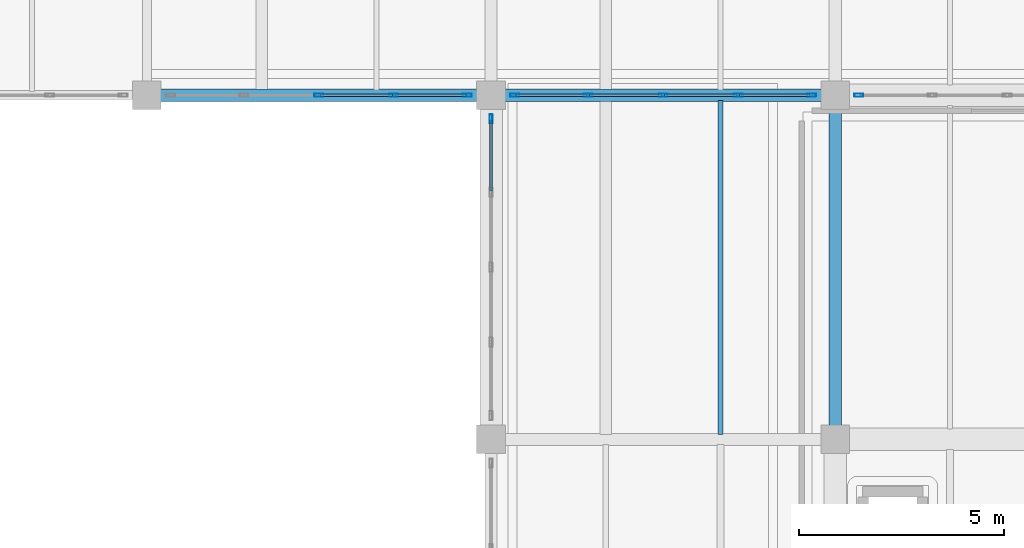
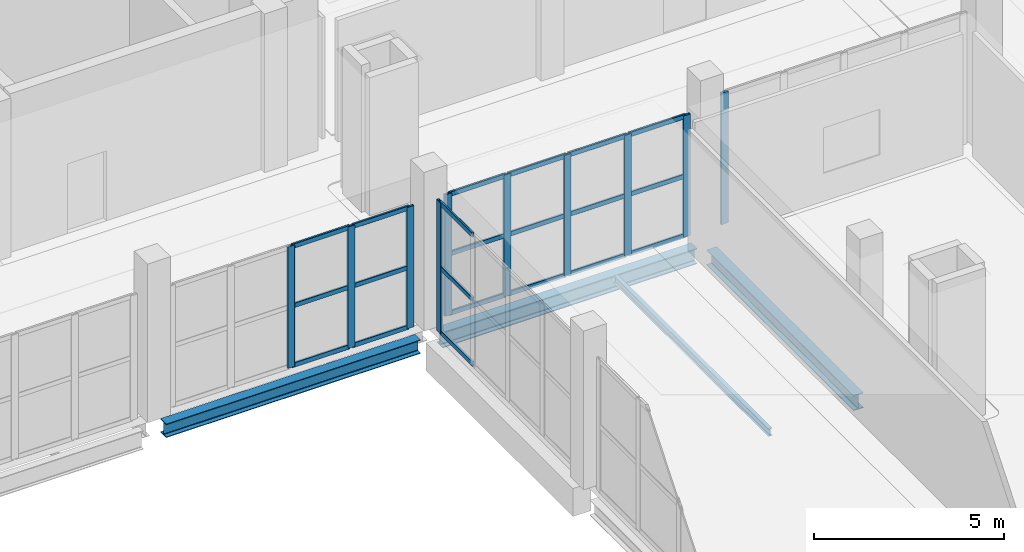
# One storey, part 31 of 73: 31 members, 4 beams, 4 elements without a shape of their own.
"""IFC4 building model written with IfcOpenShell, lengths in metres."""

from ifc_helpers import new_model, si_unit, direction, frame, origin, origin_2d, place, context, subcontext, project, spatial, hollow_rectangle, i_section, extrude, material, layer, layer_set, material_profile, profile_set, type_object, element, aggregate, save


model = new_model("IFC4")

# Units and contexts
model_context = context("Model", 3, precision=1e-05, world=origin(), true_north=direction((0.0, 1.0)))
body_context = subcontext(model_context, "Body", "Model", "MODEL_VIEW")
ifc_project = project(units=[si_unit("LENGTHUNIT", "METRE"), si_unit("AREAUNIT", "SQUARE_METRE"), si_unit("VOLUMEUNIT", "CUBIC_METRE"), si_unit("PLANEANGLEUNIT", "RADIAN"), si_unit("MASSUNIT", "GRAM", prefix="KILO")], contexts=[model_context])

# Site, building, storey
site_placement = place(None, origin())
site = spatial("IfcSite", under=ifc_project, at=site_placement, CompositionType="ELEMENT")
building_placement = place(site_placement, origin())
building = spatial("IfcBuilding", under=site, at=building_placement, Name="Zulmaris Art Gallery", CompositionType="ELEMENT")
storey_placement = place(building_placement, frame((0.0, 0.0, 10.5)))
storey = spatial("IfcBuildingStorey", under=building, at=storey_placement, Name="L02", CompositionType="ELEMENT", Elevation=10.5)

# Beams
ifc_material_1 = material(Name="Steel S355J2", Category="steel")
ifc_material_profile_1 = material_profile(ifc_material_1, i_section(OverallWidth=0.300048828125, OverallDepth=0.43994140625, WebThickness=0.011474609375, FlangeThickness=0.02099609375, FilletRadius=0.027099609375, at=origin_2d()), Name="HEA 450")
ifc_profile_set_1 = profile_set([ifc_material_profile_1], Name="Steel S355J2")
beam_type_1 = type_object("IfcBeamType", Name="BEAM-BM10", PredefinedType="BEAM", material=ifc_profile_set_1)
beam_1_placement = place(storey_placement, frame((116.735107421875, 58.800048828125, -0.6201171875), z_axis=(1.0, 0.0, 0.0), x_axis=(0.0, 1.0, 0.0)))
element("IfcBeam", 1, at=beam_1_placement, inside=storey, type_object=beam_type_1, Name="L02 X-girder (116.4..124.8, y=58.8)", PredefinedType="BEAM", context=body_context, shape_type="SweptSolid", body=[
    extrude(i_section(OverallWidth=0.300048828125, OverallDepth=0.43994140625, WebThickness=0.011474609375, FlangeThickness=0.02099609375, FilletRadius=0.027099609375, at=origin_2d()), origin(), (0.0, 0.0, 1.0), 7.72998046875),
])
ifc_material_profile_2 = material_profile(ifc_material_1, i_section(OverallWidth=0.300048828125, OverallDepth=0.489990234375, WebThickness=0.011962890625, FlangeThickness=0.02294921875, FilletRadius=0.027099609375, at=origin_2d()), Name="HEA 500")
ifc_profile_set_2 = profile_set([ifc_material_profile_2], Name="Steel S355J2")
beam_type_2 = type_object("IfcBeamType", Name="BEAM-BM11", PredefinedType="BEAM", material=ifc_profile_set_2)
beam_2_placement = place(storey_placement, frame((133.199951171875, 50.735107421875, -0.64501953125), z_axis=(0.0, 1.0, 0.0), x_axis=(-1.0, 0.0, 0.0)))
element("IfcBeam", 2, at=beam_2_placement, inside=storey, type_object=beam_type_2, Name="L02 Y-girder (x=133.2, 50.4..58.8)", PredefinedType="BEAM", context=body_context, shape_type="SweptSolid", body=[
    extrude(i_section(OverallWidth=0.300048828125, OverallDepth=0.489990234375, WebThickness=0.011962890625, FlangeThickness=0.02294921875, FilletRadius=0.027099609375, at=origin_2d()), origin(), (0.0, 0.0, 1.0), 7.72998046875),
])
ifc_material_profile_3 = material_profile(ifc_material_1, i_section(OverallWidth=0.300048828125, OverallDepth=0.5, WebThickness=0.014404296875, FlangeThickness=0.028076171875, FilletRadius=0.027099609375, at=origin_2d()), Name="HEB 500")
ifc_profile_set_3 = profile_set([ifc_material_profile_3], Name="Steel S355J2")
beam_type_3 = type_object("IfcBeamType", Name="BEAM-BM14", PredefinedType="BEAM", material=ifc_profile_set_3)
beam_3_placement = place(storey_placement, frame((125.135009765625, 58.800048828125, -0.64990234375), z_axis=(1.0, 0.0, 0.0), x_axis=(0.0, 1.0, 0.0)))
element("IfcBeam", 3, at=beam_3_placement, inside=storey, type_object=beam_type_3, Name="L02 X-girder (124.8..133.2, y=58.8)", PredefinedType="BEAM", context=body_context, shape_type="SweptSolid", body=[
    extrude(i_section(OverallWidth=0.300048828125, OverallDepth=0.5, WebThickness=0.014404296875, FlangeThickness=0.028076171875, FilletRadius=0.027099609375, at=origin_2d()), origin(), (0.0, 0.0, 1.0), 7.72998046875),
])
ifc_material_profile_4 = material_profile(ifc_material_1, i_section(OverallWidth=0.1201171875, OverallDepth=0.239990234375, WebThickness=0.006103515625, FlangeThickness=0.009765625, FilletRadius=0.014892578125, at=origin_2d()), Name="IPE 240")
ifc_profile_set_4 = profile_set([ifc_material_profile_4], Name="Steel S355J2")
beam_type_4 = type_object("IfcBeamType", Name="BEAM-JS01", PredefinedType="JOIST", material=ifc_profile_set_4)
beam_4_placement = place(storey_placement, frame((130.39990234375, 50.52490234375, -0.52001953125), z_axis=(0.0, 1.0, 0.0), x_axis=(-1.0, 0.0, 0.0)))
element("IfcBeam", 4, at=beam_4_placement, inside=storey, type_object=beam_type_4, Name="L02 secondary joist at x=130.4", PredefinedType="JOIST", context=body_context, shape_type="SweptSolid", body=[
    extrude(i_section(OverallWidth=0.1201171875, OverallDepth=0.239990234375, WebThickness=0.006103515625, FlangeThickness=0.009765625, FilletRadius=0.014892578125, at=origin_2d()), origin(), (0.0, 0.0, 1.0), 8.150146484375),
])

# Curtain wall, members
ifc_material_2 = material(Name="Unitised Low-E Gallery Curtain Wall", Category="aluminium")
ifc_layer = layer(ifc_material_2, 0.179931640625)
ifc_layer_set = layer_set([ifc_layer], Name="Unitised Low-E Gallery Curtain Wall")
curtain_wall_type = type_object("IfcCurtainWallType", Name="CW-CW01", PredefinedType="NOTDEFINED", material=ifc_layer_set)
curtain_wall_1_placement = place(storey_placement, origin())
curtain_wall_1 = element("IfcCurtainWall", 5, at=curtain_wall_1_placement, inside=storey, type_object=curtain_wall_type, Name="L02 curtain wall 107", PredefinedType="NOTDEFINED")
ifc_material_3 = material(Name="Anodised Bronze Aluminium", Category="aluminium")
ifc_material_profile_5 = material_profile(ifc_material_3, hollow_rectangle(XDim=0.074951171875, YDim=0.219970703125, WallThickness=0.0048828125, InnerFilletRadius=0.007568359375, OuterFilletRadius=0.012451171875, at=origin_2d()), Name="ALU 75x220x5")
ifc_profile_set_5 = profile_set([ifc_material_profile_5], Name="Anodised Bronze Aluminium")
member_type_1 = type_object("IfcMemberType", Name="CWMUL-02", PredefinedType="MULLION", material=ifc_profile_set_5)
member_1_placement = place(storey_placement, frame((120.60009765625, 58.800048828125, 0.0), z_axis=(0.0, 0.0, 1.0), x_axis=(0.0, 1.0, 0.0)))
member_1 = element("IfcMember", 6, at=member_1_placement, type_object=member_type_1, Name="CW01 mullion 3", PredefinedType="MULLION", context=body_context, shape_type="SweptSolid", body=[
    extrude(hollow_rectangle(XDim=0.074951171875, YDim=0.219970703125, WallThickness=0.0048828125, InnerFilletRadius=0.007568359375, OuterFilletRadius=0.012451171875, at=origin_2d()), origin(), (0.0, 0.0, 1.0), 3.89990234375),
])
member_2_placement = place(storey_placement, frame((122.429931640625, 58.800048828125, 0.0), z_axis=(0.0, 0.0, 1.0), x_axis=(0.0, 1.0, 0.0)))
member_2 = element("IfcMember", 7, at=member_2_placement, type_object=member_type_1, Name="CW01 mullion 4", PredefinedType="MULLION", context=body_context, shape_type="SweptSolid", body=[
    extrude(hollow_rectangle(XDim=0.074951171875, YDim=0.219970703125, WallThickness=0.0048828125, InnerFilletRadius=0.007568359375, OuterFilletRadius=0.012451171875, at=origin_2d()), origin(), (0.0, 0.0, 1.0), 3.89990234375),
])
member_3_placement = place(storey_placement, frame((124.222412109375, 58.800048828125, 0.0), z_axis=(0.0, 0.0, 1.0), x_axis=(0.0, 1.0, 0.0)))
member_3 = element("IfcMember", 8, at=member_3_placement, type_object=member_type_1, Name="CW01 mullion 5", PredefinedType="MULLION", context=body_context, shape_type="SweptSolid", body=[
    extrude(hollow_rectangle(XDim=0.074951171875, YDim=0.219970703125, WallThickness=0.0048828125, InnerFilletRadius=0.007568359375, OuterFilletRadius=0.012451171875, at=origin_2d()), origin(), (0.0, 0.0, 1.0), 3.89990234375),
])

curtain_wall_2_placement = place(storey_placement, origin())
curtain_wall_2 = element("IfcCurtainWall", 9, at=curtain_wall_2_placement, inside=storey, type_object=curtain_wall_type, Name="L02 curtain wall 108", PredefinedType="NOTDEFINED")
member_4_placement = place(storey_placement, frame((125.37744140625, 58.800048828125, 0.0), z_axis=(0.0, 0.0, 1.0), x_axis=(0.0, 1.0, 0.0)))
member_4 = element("IfcMember", 10, at=member_4_placement, type_object=member_type_1, Name="CW01 mullion 1", PredefinedType="MULLION", context=body_context, shape_type="SweptSolid", body=[
    extrude(hollow_rectangle(XDim=0.074951171875, YDim=0.219970703125, WallThickness=0.0048828125, InnerFilletRadius=0.007568359375, OuterFilletRadius=0.012451171875, at=origin_2d()), origin(), (0.0, 0.0, 1.0), 3.89990234375),
])
member_5_placement = place(storey_placement, frame((127.169921875, 58.800048828125, 0.0), z_axis=(0.0, 0.0, 1.0), x_axis=(0.0, 1.0, 0.0)))
member_5 = element("IfcMember", 11, at=member_5_placement, type_object=member_type_1, Name="CW01 mullion 2", PredefinedType="MULLION", context=body_context, shape_type="SweptSolid", body=[
    extrude(hollow_rectangle(XDim=0.074951171875, YDim=0.219970703125, WallThickness=0.0048828125, InnerFilletRadius=0.007568359375, OuterFilletRadius=0.012451171875, at=origin_2d()), origin(), (0.0, 0.0, 1.0), 3.89990234375),
])
member_6_placement = place(storey_placement, frame((129.0, 58.800048828125, 0.0), z_axis=(0.0, 0.0, 1.0), x_axis=(0.0, 1.0, 0.0)))
member_6 = element("IfcMember", 12, at=member_6_placement, type_object=member_type_1, Name="CW01 mullion 3", PredefinedType="MULLION", context=body_context, shape_type="SweptSolid", body=[
    extrude(hollow_rectangle(XDim=0.074951171875, YDim=0.219970703125, WallThickness=0.0048828125, InnerFilletRadius=0.007568359375, OuterFilletRadius=0.012451171875, at=origin_2d()), origin(), (0.0, 0.0, 1.0), 3.89990234375),
])
member_7_placement = place(storey_placement, frame((130.830078125, 58.800048828125, 0.0), z_axis=(0.0, 0.0, 1.0), x_axis=(0.0, 1.0, 0.0)))
member_7 = element("IfcMember", 13, at=member_7_placement, type_object=member_type_1, Name="CW01 mullion 4", PredefinedType="MULLION", context=body_context, shape_type="SweptSolid", body=[
    extrude(hollow_rectangle(XDim=0.074951171875, YDim=0.219970703125, WallThickness=0.0048828125, InnerFilletRadius=0.007568359375, OuterFilletRadius=0.012451171875, at=origin_2d()), origin(), (0.0, 0.0, 1.0), 3.89990234375),
])
member_8_placement = place(storey_placement, frame((132.62255859375, 58.800048828125, 0.0), z_axis=(0.0, 0.0, 1.0), x_axis=(0.0, 1.0, 0.0)))
member_8 = element("IfcMember", 14, at=member_8_placement, type_object=member_type_1, Name="CW01 mullion 5", PredefinedType="MULLION", context=body_context, shape_type="SweptSolid", body=[
    extrude(hollow_rectangle(XDim=0.074951171875, YDim=0.219970703125, WallThickness=0.0048828125, InnerFilletRadius=0.007568359375, OuterFilletRadius=0.012451171875, at=origin_2d()), origin(), (0.0, 0.0, 1.0), 3.89990234375),
])

# Curtain wall, member
curtain_wall_3_placement = place(storey_placement, origin())
curtain_wall_3 = element("IfcCurtainWall", 15, at=curtain_wall_3_placement, inside=storey, type_object=curtain_wall_type, Name="L02 curtain wall 109", PredefinedType="NOTDEFINED")
member_9_placement = place(storey_placement, frame((133.777587890625, 58.800048828125, 0.0), z_axis=(0.0, 0.0, 1.0), x_axis=(0.0, 1.0, 0.0)))
member_9 = element("IfcMember", 16, at=member_9_placement, type_object=member_type_1, Name="CW01 mullion 1", PredefinedType="MULLION", context=body_context, shape_type="SweptSolid", body=[
    extrude(hollow_rectangle(XDim=0.074951171875, YDim=0.219970703125, WallThickness=0.0048828125, InnerFilletRadius=0.007568359375, OuterFilletRadius=0.012451171875, at=origin_2d()), origin(), (0.0, 0.0, 1.0), 4.22998046875),
])
aggregate(curtain_wall_3, [member_9])

curtain_wall_4_placement = place(storey_placement, origin())
curtain_wall_4 = element("IfcCurtainWall", 17, at=curtain_wall_4_placement, inside=storey, type_object=curtain_wall_type, Name="L02 curtain wall 113", PredefinedType="NOTDEFINED")
member_10_placement = place(storey_placement, frame((124.800048828125, 58.222412109375, 0.0), z_axis=(0.0, 0.0, 1.0), x_axis=(-1.0, 0.0, 0.0)))
member_10 = element("IfcMember", 18, at=member_10_placement, type_object=member_type_1, Name="CW01 mullion 5", PredefinedType="MULLION", context=body_context, shape_type="SweptSolid", body=[
    extrude(hollow_rectangle(XDim=0.074951171875, YDim=0.219970703125, WallThickness=0.0048828125, InnerFilletRadius=0.007568359375, OuterFilletRadius=0.012451171875, at=origin_2d()), origin(), (0.0, 0.0, 1.0), 4.2099609375),
])

# Member
ifc_material_profile_6 = material_profile(ifc_material_3, hollow_rectangle(XDim=0.06494140625, YDim=0.14990234375, WallThickness=0.00390625, InnerFilletRadius=0.006103515625, OuterFilletRadius=0.010009765625, at=origin_2d()), Name="ALU 65x150x4")
ifc_profile_set_6 = profile_set([ifc_material_profile_6], Name="Anodised Bronze Aluminium")
member_type_2 = type_object("IfcMemberType", Name="CWTRN-01", PredefinedType="USERDEFINED", material=ifc_profile_set_6)
member_11_placement = place(storey_placement, frame((120.637451171875, 58.800048828125, 0.03759765625), z_axis=(1.0, 0.0, 0.0), x_axis=(0.0, 1.0, 0.0)))
member_11 = element("IfcMember", 19, at=member_11_placement, type_object=member_type_2, Name="CW01 transom 3.1", ObjectType="TRANSOM", PredefinedType="USERDEFINED", context=body_context, shape_type="SweptSolid", body=[
    extrude(hollow_rectangle(XDim=0.06494140625, YDim=0.14990234375, WallThickness=0.00390625, InnerFilletRadius=0.006103515625, OuterFilletRadius=0.010009765625, at=origin_2d()), origin(), (0.0, 0.0, 1.0), 1.755126953125),
])

member_12_placement = place(storey_placement, frame((120.637451171875, 58.800048828125, 1.949951171875), z_axis=(1.0, 0.0, 0.0), x_axis=(0.0, 1.0, 0.0)))
member_12 = element("IfcMember", 20, at=member_12_placement, type_object=member_type_2, Name="CW01 transom 3.2", ObjectType="TRANSOM", PredefinedType="USERDEFINED", context=body_context, shape_type="SweptSolid", body=[
    extrude(hollow_rectangle(XDim=0.06494140625, YDim=0.14990234375, WallThickness=0.00390625, InnerFilletRadius=0.006103515625, OuterFilletRadius=0.010009765625, at=origin_2d()), origin(), (0.0, 0.0, 1.0), 1.755126953125),
])

member_13_placement = place(storey_placement, frame((120.637451171875, 58.800048828125, 3.862548828125), z_axis=(1.0, 0.0, 0.0), x_axis=(0.0, 1.0, 0.0)))
member_13 = element("IfcMember", 21, at=member_13_placement, type_object=member_type_2, Name="CW01 transom 3.3", ObjectType="TRANSOM", PredefinedType="USERDEFINED", context=body_context, shape_type="SweptSolid", body=[
    extrude(hollow_rectangle(XDim=0.06494140625, YDim=0.14990234375, WallThickness=0.00390625, InnerFilletRadius=0.006103515625, OuterFilletRadius=0.010009765625, at=origin_2d()), origin(), (0.0, 0.0, 1.0), 1.755126953125),
])

member_14_placement = place(storey_placement, frame((122.467529296875, 58.800048828125, 0.03759765625), z_axis=(1.0, 0.0, 0.0), x_axis=(0.0, 1.0, 0.0)))
member_14 = element("IfcMember", 22, at=member_14_placement, type_object=member_type_2, Name="CW01 transom 4.1", ObjectType="TRANSOM", PredefinedType="USERDEFINED", context=body_context, shape_type="SweptSolid", body=[
    extrude(hollow_rectangle(XDim=0.06494140625, YDim=0.14990234375, WallThickness=0.00390625, InnerFilletRadius=0.006103515625, OuterFilletRadius=0.010009765625, at=origin_2d()), origin(), (0.0, 0.0, 1.0), 1.717529296875),
])

member_15_placement = place(storey_placement, frame((122.467529296875, 58.800048828125, 1.949951171875), z_axis=(1.0, 0.0, 0.0), x_axis=(0.0, 1.0, 0.0)))
member_15 = element("IfcMember", 23, at=member_15_placement, type_object=member_type_2, Name="CW01 transom 4.2", ObjectType="TRANSOM", PredefinedType="USERDEFINED", context=body_context, shape_type="SweptSolid", body=[
    extrude(hollow_rectangle(XDim=0.06494140625, YDim=0.14990234375, WallThickness=0.00390625, InnerFilletRadius=0.006103515625, OuterFilletRadius=0.010009765625, at=origin_2d()), origin(), (0.0, 0.0, 1.0), 1.717529296875),
])

member_16_placement = place(storey_placement, frame((122.467529296875, 58.800048828125, 3.862548828125), z_axis=(1.0, 0.0, 0.0), x_axis=(0.0, 1.0, 0.0)))
member_16 = element("IfcMember", 24, at=member_16_placement, type_object=member_type_2, Name="CW01 transom 4.3", ObjectType="TRANSOM", PredefinedType="USERDEFINED", context=body_context, shape_type="SweptSolid", body=[
    extrude(hollow_rectangle(XDim=0.06494140625, YDim=0.14990234375, WallThickness=0.00390625, InnerFilletRadius=0.006103515625, OuterFilletRadius=0.010009765625, at=origin_2d()), origin(), (0.0, 0.0, 1.0), 1.717529296875),
])

aggregate(curtain_wall_1, [member_1, member_2, member_3, member_11, member_12, member_13, member_14, member_15, member_16])

member_17_placement = place(storey_placement, frame((125.4150390625, 58.800048828125, 0.03759765625), z_axis=(1.0, 0.0, 0.0), x_axis=(0.0, 1.0, 0.0)))
member_17 = element("IfcMember", 25, at=member_17_placement, type_object=member_type_2, Name="CW01 transom 1.1", ObjectType="TRANSOM", PredefinedType="USERDEFINED", context=body_context, shape_type="SweptSolid", body=[
    extrude(hollow_rectangle(XDim=0.06494140625, YDim=0.14990234375, WallThickness=0.00390625, InnerFilletRadius=0.006103515625, OuterFilletRadius=0.010009765625, at=origin_2d()), origin(), (0.0, 0.0, 1.0), 1.717529296875),
])

member_18_placement = place(storey_placement, frame((125.4150390625, 58.800048828125, 1.949951171875), z_axis=(1.0, 0.0, 0.0), x_axis=(0.0, 1.0, 0.0)))
member_18 = element("IfcMember", 26, at=member_18_placement, type_object=member_type_2, Name="CW01 transom 1.2", ObjectType="TRANSOM", PredefinedType="USERDEFINED", context=body_context, shape_type="SweptSolid", body=[
    extrude(hollow_rectangle(XDim=0.06494140625, YDim=0.14990234375, WallThickness=0.00390625, InnerFilletRadius=0.006103515625, OuterFilletRadius=0.010009765625, at=origin_2d()), origin(), (0.0, 0.0, 1.0), 1.717529296875),
])

member_19_placement = place(storey_placement, frame((125.4150390625, 58.800048828125, 3.862548828125), z_axis=(1.0, 0.0, 0.0), x_axis=(0.0, 1.0, 0.0)))
member_19 = element("IfcMember", 27, at=member_19_placement, type_object=member_type_2, Name="CW01 transom 1.3", ObjectType="TRANSOM", PredefinedType="USERDEFINED", context=body_context, shape_type="SweptSolid", body=[
    extrude(hollow_rectangle(XDim=0.06494140625, YDim=0.14990234375, WallThickness=0.00390625, InnerFilletRadius=0.006103515625, OuterFilletRadius=0.010009765625, at=origin_2d()), origin(), (0.0, 0.0, 1.0), 1.717529296875),
])

member_20_placement = place(storey_placement, frame((127.20751953125, 58.800048828125, 0.03759765625), z_axis=(1.0, 0.0, 0.0), x_axis=(0.0, 1.0, 0.0)))
member_20 = element("IfcMember", 28, at=member_20_placement, type_object=member_type_2, Name="CW01 transom 2.1", ObjectType="TRANSOM", PredefinedType="USERDEFINED", context=body_context, shape_type="SweptSolid", body=[
    extrude(hollow_rectangle(XDim=0.06494140625, YDim=0.14990234375, WallThickness=0.00390625, InnerFilletRadius=0.006103515625, OuterFilletRadius=0.010009765625, at=origin_2d()), origin(), (0.0, 0.0, 1.0), 1.7548828125),
])

member_21_placement = place(storey_placement, frame((127.20751953125, 58.800048828125, 1.949951171875), z_axis=(1.0, 0.0, 0.0), x_axis=(0.0, 1.0, 0.0)))
member_21 = element("IfcMember", 29, at=member_21_placement, type_object=member_type_2, Name="CW01 transom 2.2", ObjectType="TRANSOM", PredefinedType="USERDEFINED", context=body_context, shape_type="SweptSolid", body=[
    extrude(hollow_rectangle(XDim=0.06494140625, YDim=0.14990234375, WallThickness=0.00390625, InnerFilletRadius=0.006103515625, OuterFilletRadius=0.010009765625, at=origin_2d()), origin(), (0.0, 0.0, 1.0), 1.7548828125),
])

member_22_placement = place(storey_placement, frame((127.20751953125, 58.800048828125, 3.862548828125), z_axis=(1.0, 0.0, 0.0), x_axis=(0.0, 1.0, 0.0)))
member_22 = element("IfcMember", 30, at=member_22_placement, type_object=member_type_2, Name="CW01 transom 2.3", ObjectType="TRANSOM", PredefinedType="USERDEFINED", context=body_context, shape_type="SweptSolid", body=[
    extrude(hollow_rectangle(XDim=0.06494140625, YDim=0.14990234375, WallThickness=0.00390625, InnerFilletRadius=0.006103515625, OuterFilletRadius=0.010009765625, at=origin_2d()), origin(), (0.0, 0.0, 1.0), 1.7548828125),
])

member_23_placement = place(storey_placement, frame((129.03759765625, 58.800048828125, 0.03759765625), z_axis=(1.0, 0.0, 0.0), x_axis=(0.0, 1.0, 0.0)))
member_23 = element("IfcMember", 31, at=member_23_placement, type_object=member_type_2, Name="CW01 transom 3.1", ObjectType="TRANSOM", PredefinedType="USERDEFINED", context=body_context, shape_type="SweptSolid", body=[
    extrude(hollow_rectangle(XDim=0.06494140625, YDim=0.14990234375, WallThickness=0.00390625, InnerFilletRadius=0.006103515625, OuterFilletRadius=0.010009765625, at=origin_2d()), origin(), (0.0, 0.0, 1.0), 1.7548828125),
])

member_24_placement = place(storey_placement, frame((129.03759765625, 58.800048828125, 1.949951171875), z_axis=(1.0, 0.0, 0.0), x_axis=(0.0, 1.0, 0.0)))
member_24 = element("IfcMember", 32, at=member_24_placement, type_object=member_type_2, Name="CW01 transom 3.2", ObjectType="TRANSOM", PredefinedType="USERDEFINED", context=body_context, shape_type="SweptSolid", body=[
    extrude(hollow_rectangle(XDim=0.06494140625, YDim=0.14990234375, WallThickness=0.00390625, InnerFilletRadius=0.006103515625, OuterFilletRadius=0.010009765625, at=origin_2d()), origin(), (0.0, 0.0, 1.0), 1.7548828125),
])

member_25_placement = place(storey_placement, frame((129.03759765625, 58.800048828125, 3.862548828125), z_axis=(1.0, 0.0, 0.0), x_axis=(0.0, 1.0, 0.0)))
member_25 = element("IfcMember", 33, at=member_25_placement, type_object=member_type_2, Name="CW01 transom 3.3", ObjectType="TRANSOM", PredefinedType="USERDEFINED", context=body_context, shape_type="SweptSolid", body=[
    extrude(hollow_rectangle(XDim=0.06494140625, YDim=0.14990234375, WallThickness=0.00390625, InnerFilletRadius=0.006103515625, OuterFilletRadius=0.010009765625, at=origin_2d()), origin(), (0.0, 0.0, 1.0), 1.7548828125),
])

member_26_placement = place(storey_placement, frame((130.867431640625, 58.800048828125, 0.03759765625), z_axis=(1.0, 0.0, 0.0), x_axis=(0.0, 1.0, 0.0)))
member_26 = element("IfcMember", 34, at=member_26_placement, type_object=member_type_2, Name="CW01 transom 4.1", ObjectType="TRANSOM", PredefinedType="USERDEFINED", context=body_context, shape_type="SweptSolid", body=[
    extrude(hollow_rectangle(XDim=0.06494140625, YDim=0.14990234375, WallThickness=0.00390625, InnerFilletRadius=0.006103515625, OuterFilletRadius=0.010009765625, at=origin_2d()), origin(), (0.0, 0.0, 1.0), 1.717529296875),
])

member_27_placement = place(storey_placement, frame((130.867431640625, 58.800048828125, 1.949951171875), z_axis=(1.0, 0.0, 0.0), x_axis=(0.0, 1.0, 0.0)))
member_27 = element("IfcMember", 35, at=member_27_placement, type_object=member_type_2, Name="CW01 transom 4.2", ObjectType="TRANSOM", PredefinedType="USERDEFINED", context=body_context, shape_type="SweptSolid", body=[
    extrude(hollow_rectangle(XDim=0.06494140625, YDim=0.14990234375, WallThickness=0.00390625, InnerFilletRadius=0.006103515625, OuterFilletRadius=0.010009765625, at=origin_2d()), origin(), (0.0, 0.0, 1.0), 1.717529296875),
])

member_28_placement = place(storey_placement, frame((130.867431640625, 58.800048828125, 3.862548828125), z_axis=(1.0, 0.0, 0.0), x_axis=(0.0, 1.0, 0.0)))
member_28 = element("IfcMember", 36, at=member_28_placement, type_object=member_type_2, Name="CW01 transom 4.3", ObjectType="TRANSOM", PredefinedType="USERDEFINED", context=body_context, shape_type="SweptSolid", body=[
    extrude(hollow_rectangle(XDim=0.06494140625, YDim=0.14990234375, WallThickness=0.00390625, InnerFilletRadius=0.006103515625, OuterFilletRadius=0.010009765625, at=origin_2d()), origin(), (0.0, 0.0, 1.0), 1.717529296875),
])

aggregate(curtain_wall_2, [member_4, member_5, member_6, member_7, member_8, member_17, member_18, member_19, member_20, member_21, member_22, member_23, member_24, member_25, member_26, member_27, member_28])

member_29_placement = place(storey_placement, frame((124.800048828125, 56.467529296875, 0.03759765625), z_axis=(0.0, 1.0, 0.0), x_axis=(-1.0, 0.0, 0.0)))
member_29 = element("IfcMember", 37, at=member_29_placement, type_object=member_type_2, Name="CW01 transom 4.1", ObjectType="TRANSOM", PredefinedType="USERDEFINED", context=body_context, shape_type="SweptSolid", body=[
    extrude(hollow_rectangle(XDim=0.06494140625, YDim=0.14990234375, WallThickness=0.00390625, InnerFilletRadius=0.006103515625, OuterFilletRadius=0.010009765625, at=origin_2d()), origin(), (0.0, 0.0, 1.0), 1.717529296875),
])

member_30_placement = place(storey_placement, frame((124.800048828125, 56.467529296875, 2.10498046875), z_axis=(0.0, 1.0, 0.0), x_axis=(-1.0, 0.0, 0.0)))
member_30 = element("IfcMember", 38, at=member_30_placement, type_object=member_type_2, Name="CW01 transom 4.2", ObjectType="TRANSOM", PredefinedType="USERDEFINED", context=body_context, shape_type="SweptSolid", body=[
    extrude(hollow_rectangle(XDim=0.06494140625, YDim=0.14990234375, WallThickness=0.00390625, InnerFilletRadius=0.006103515625, OuterFilletRadius=0.010009765625, at=origin_2d()), origin(), (0.0, 0.0, 1.0), 1.717529296875),
])

member_31_placement = place(storey_placement, frame((124.800048828125, 56.467529296875, 4.172607421875), z_axis=(0.0, 1.0, 0.0), x_axis=(-1.0, 0.0, 0.0)))
member_31 = element("IfcMember", 39, at=member_31_placement, type_object=member_type_2, Name="CW01 transom 4.3", ObjectType="TRANSOM", PredefinedType="USERDEFINED", context=body_context, shape_type="SweptSolid", body=[
    extrude(hollow_rectangle(XDim=0.06494140625, YDim=0.14990234375, WallThickness=0.00390625, InnerFilletRadius=0.006103515625, OuterFilletRadius=0.010009765625, at=origin_2d()), origin(), (0.0, 0.0, 1.0), 1.717529296875),
])

aggregate(curtain_wall_4, [member_10, member_29, member_30, member_31])

save(model, "model.ifc")
